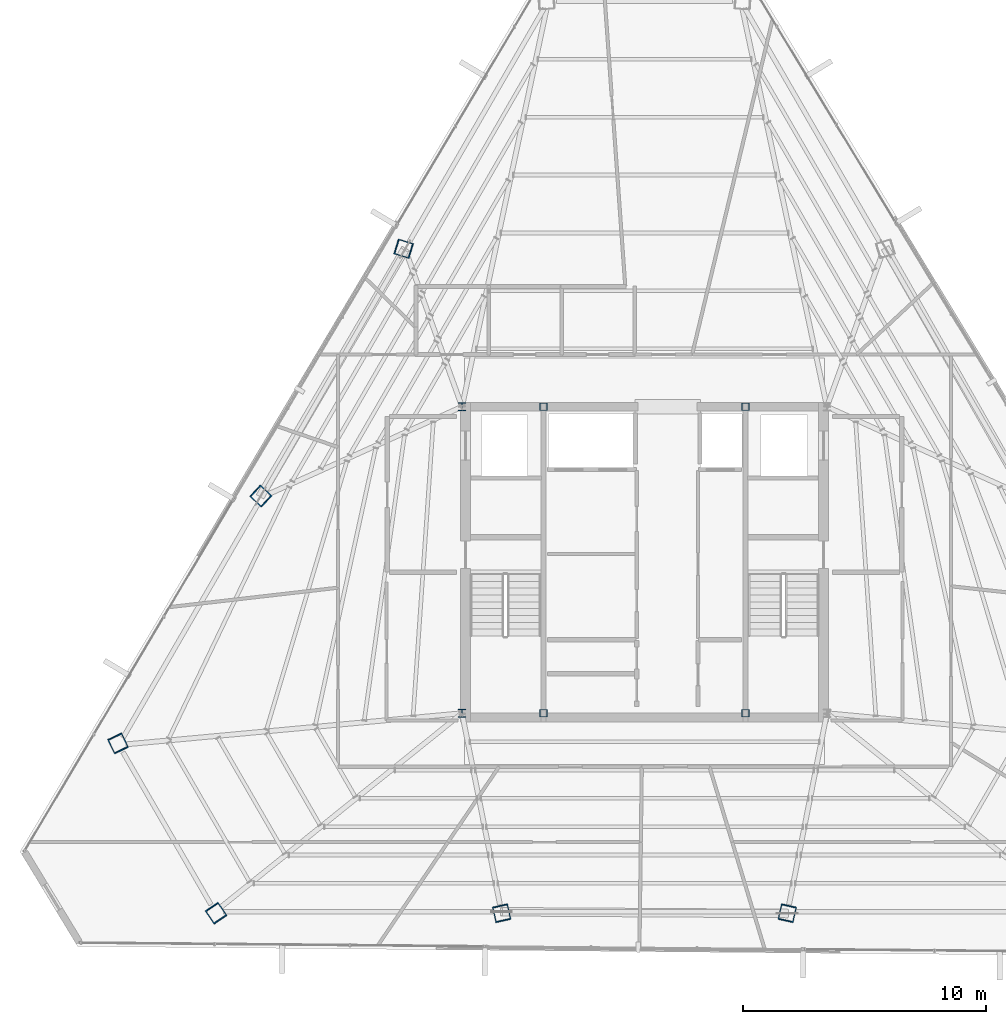
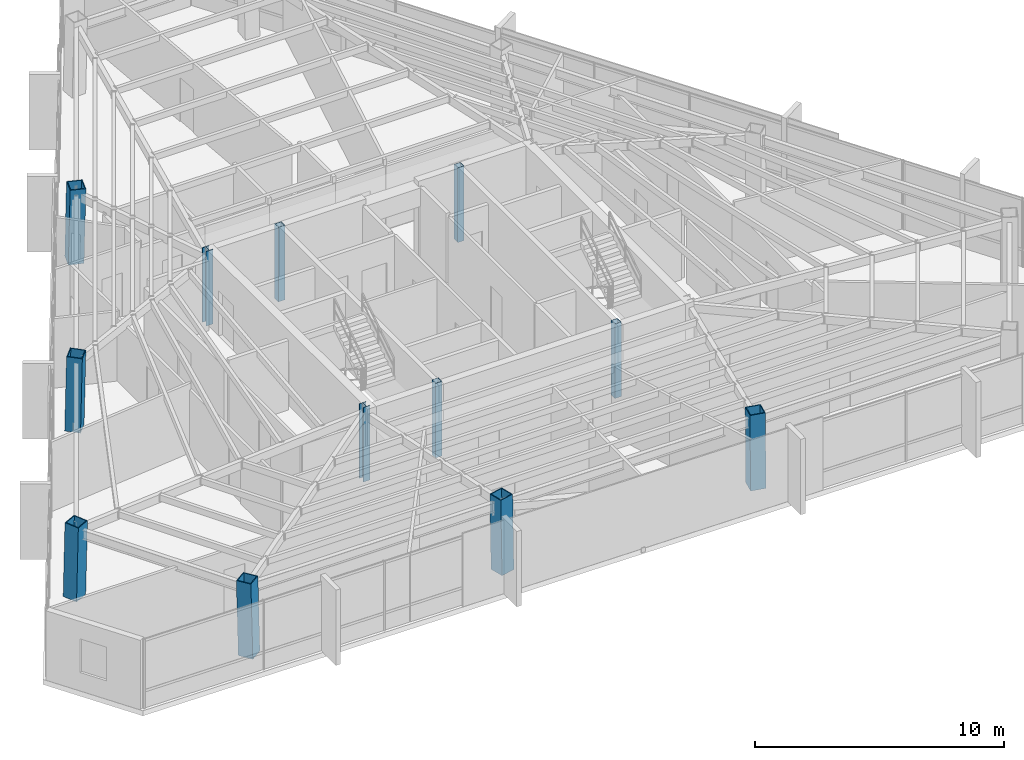
# One storey, part 1 of 47: 12 columns.
"""IFC4 building model written with IfcOpenShell, lengths in metres."""

from ifc_helpers import new_model, si_unit, direction, frame, origin, origin_2d, place, context, subcontext, project, spatial, hollow_rectangle, i_section, extrude, source, transform, mapped, material, material_profile, profile_set, type_object, type_shapes, element, save


model = new_model("IFC4")

# Units and contexts
model_context = context("Model", 3, precision=1e-05, world=origin(), true_north=direction((0.0, 1.0)))
body_context = subcontext(model_context, "Body", "Model", "MODEL_VIEW")
ifc_project = project(units=[si_unit("LENGTHUNIT", "METRE"), si_unit("AREAUNIT", "SQUARE_METRE"), si_unit("VOLUMEUNIT", "CUBIC_METRE"), si_unit("PLANEANGLEUNIT", "RADIAN"), si_unit("MASSUNIT", "GRAM", prefix="KILO")], contexts=[model_context])

# Site, building, storey
site_placement = place(None, origin())
site = spatial("IfcSite", under=ifc_project, at=site_placement, CompositionType="ELEMENT")
building_placement = place(site_placement, origin())
building = spatial("IfcBuilding", under=site, at=building_placement, Name="Caelisora Broadcast Tower", CompositionType="ELEMENT")
storey_placement = place(building_placement, frame((0.0, 0.0, 248.10009765625)))
storey = spatial("IfcBuildingStorey", under=building, at=storey_placement, Name="L65", CompositionType="ELEMENT", Elevation=248.10009765625)

# Columns
ifc_material_1 = material(Name="Steel Grade 350 (AS/NZS 3679.1)", Category="steel")
ifc_material_profile_1 = material_profile(ifc_material_1, i_section(OverallWidth=0.31103515625, OverallDepth=0.3271484375, WebThickness=0.015625, FlangeThickness=0.02490234375, at=origin_2d()), Name="Steel Grade 350 (AS/NZS 3679.1)")
ifc_profile_set_1 = profile_set([ifc_material_profile_1], Name="Steel Grade 350 (AS/NZS 3679.1)")
column_type_1 = type_object("IfcColumnType", Name="CC03", PredefinedType="COLUMN", material=ifc_profile_set_1)
shared_shape_1 = source(origin(), body_context, "Body", "SweptSolid", [
    extrude(i_section(OverallWidth=0.31103515625, OverallDepth=0.3271484375, WebThickness=0.015625, FlangeThickness=0.02490234375, at=origin_2d()), origin(), (0.0, 0.0, 1.0), 3.64990234375),
])
type_shapes(column_type_1, [shared_shape_1])
for number, where, z_axis, x_axis, name in (
    (1, (30.5, 17.39990234375, 0.0), (0.0, 0.0, 1.0), (1.0, 0.0, 0.0), "L65 column CC03"),
    (2, (30.5, 30.0, 0.0), (0.0, 0.0, 1.0), (1.0, 0.0, 0.0), "L65 column CC03"),
):
    element("IfcColumn", number, at=place(storey_placement, frame(where, z_axis=z_axis, x_axis=x_axis)), inside=storey, type_object=column_type_1, Name=name, PredefinedType="COLUMN", context=body_context, shape_type="MappedRepresentation", body=[
        mapped(shared_shape_1, transform((0.0, 0.0, 0.0), scale=1.0)),
    ])
ifc_material_2 = material(Name="Steel Grade 350 L15 (AS/NZS 3678)", Category="steel")
ifc_material_profile_2 = material_profile(ifc_material_2, hollow_rectangle(XDim=0.64990234375, YDim=0.64990234375, WallThickness=0.0400390625, at=origin_2d()), Name="Steel Grade 350 L15 (AS/NZS 3678)")
ifc_profile_set_2 = profile_set([ifc_material_profile_2], Name="Steel Grade 350 L15 (AS/NZS 3678)")
column_type_2 = type_object("IfcColumnType", Name="MC06", PredefinedType="COLUMN", material=ifc_profile_set_2)
shared_shape_2 = source(origin(), body_context, "Body", "SweptSolid", [
    extrude(hollow_rectangle(XDim=0.64990234375, YDim=0.64990234375, WallThickness=0.0400390625, at=origin_2d()), origin(), (0.0, 0.0, 1.0), 3.65087890625),
])
for number, where, z_axis, x_axis, name in (
    (3, (16.353759765625, 16.17236328125, 0.0), (0.010364932146, -0.021532310652, 0.999714423113), (0.901042175273, 0.433731481886, 0.0), "L65 column MC06"),
    (4, (20.39794921875, 9.16748046875, 0.0), (-0.013440967269, 0.019793663242, 0.999713734673), (-0.827290216258, -0.561774775229, 0.0), "L65 column MC06"),
):
    element("IfcColumn", number, at=place(storey_placement, frame(where, z_axis=z_axis, x_axis=x_axis)), inside=storey, type_object=column_type_2, Name=name, PredefinedType="COLUMN", context=body_context, shape_type="MappedRepresentation", body=[
        mapped(shared_shape_2, transform((0.0, 0.0, 0.0), scale=1.0)),
    ])
shared_shape_3 = source(origin(), body_context, "Body", "SweptSolid", [
    extrude(hollow_rectangle(XDim=0.64990234375, YDim=0.64990234375, WallThickness=0.0400390625, at=origin_2d()), origin(), (0.0, 0.0, 1.0), 3.650634765625),
])
type_shapes(column_type_2, [shared_shape_2, shared_shape_3])
for number, where, z_axis, x_axis, name in (
    (5, (28.08837890625, 36.49755859375, 0.0), (0.019393993486, -0.006018825565, 0.999793802119), (0.296399214872, 0.955064136811, 0.0), "L65 column MC06"),
    (6, (22.220947265625, 26.3349609375, 0.0), (0.014913313399, -0.013776424037, 0.999793880369), (0.678553674548, 0.734550822447, 0.0), "L65 column MC06"),
    (7, (32.132568359375, 9.16748046875, 0.0), (-0.004480682206, 0.019795252729, 0.999794014513), (-0.975326687046, -0.220766513622, 0.0), "L65 column MC06"),
    (8, (43.867431640625, 9.16748046875, 0.0), (0.004480682206, 0.019795252729, 0.999794014513), (-0.975326687046, 0.220766513622, 0.0), "L65 column MC06"),
):
    element("IfcColumn", number, at=place(storey_placement, frame(where, z_axis=z_axis, x_axis=x_axis)), inside=storey, type_object=column_type_2, Name=name, PredefinedType="COLUMN", context=body_context, shape_type="MappedRepresentation", body=[
        mapped(shared_shape_3, transform((0.0, 0.0, 0.0), scale=1.0)),
    ])
ifc_material_3 = material(Name="Steel Grade 350 (AS/NZS 1163 C350L0)", Category="steel")
ifc_material_profile_3 = material_profile(ifc_material_3, hollow_rectangle(XDim=0.300048828125, YDim=0.300048828125, WallThickness=0.012451171875, at=origin_2d()), Name="Steel Grade 350 (AS/NZS 1163 C350L0)")
ifc_profile_set_3 = profile_set([ifc_material_profile_3], Name="Steel Grade 350 (AS/NZS 1163 C350L0)")
column_type_3 = type_object("IfcColumnType", Name="CC08", PredefinedType="COLUMN", material=ifc_profile_set_3)
shared_shape_4 = source(origin(), body_context, "Body", "SweptSolid", [
    extrude(hollow_rectangle(XDim=0.300048828125, YDim=0.300048828125, WallThickness=0.012451171875, at=origin_2d()), origin(), (0.0, 0.0, 1.0), 3.64990234375),
])
type_shapes(column_type_3, [shared_shape_4])
for number, where, z_axis, x_axis, name in (
    (9, (33.85009765625, 17.39990234375, 0.0), (0.0, 0.0, 1.0), (1.0, 0.0, 0.0), "L65 column CC08"),
    (10, (42.14990234375, 17.39990234375, 0.0), (0.0, 0.0, 1.0), (1.0, 0.0, 0.0), "L65 column CC08"),
    (11, (33.85009765625, 30.0, 0.0), (0.0, 0.0, 1.0), (1.0, 0.0, 0.0), "L65 column CC08"),
    (12, (42.14990234375, 30.0, 0.0), (0.0, 0.0, 1.0), (1.0, 0.0, 0.0), "L65 column CC08"),
):
    element("IfcColumn", number, at=place(storey_placement, frame(where, z_axis=z_axis, x_axis=x_axis)), inside=storey, type_object=column_type_3, Name=name, PredefinedType="COLUMN", context=body_context, shape_type="MappedRepresentation", body=[
        mapped(shared_shape_4, transform((0.0, 0.0, 0.0), scale=1.0)),
    ])

save(model, "model.ifc")
